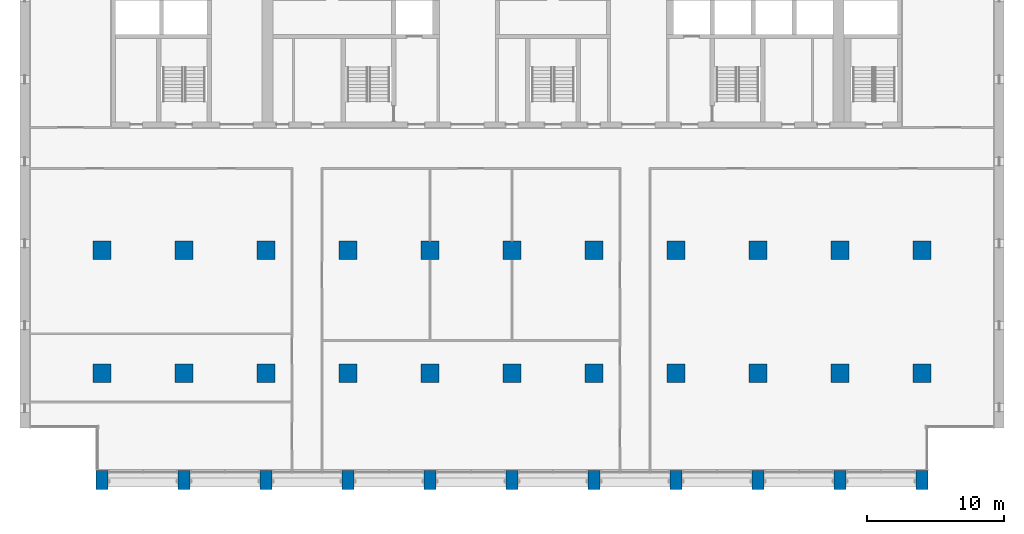
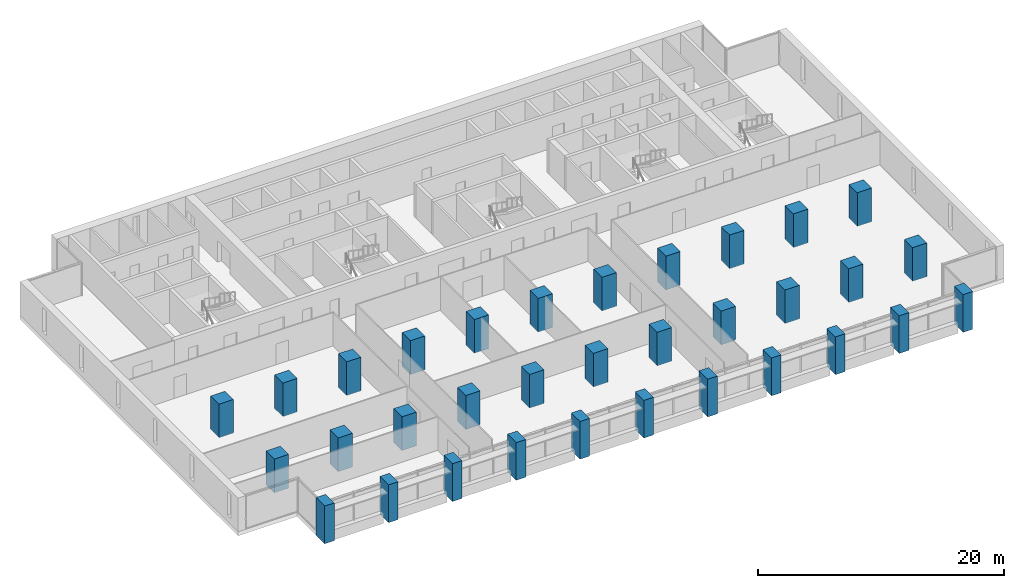
# One storey, part 1 of 15: 33 columns.
"""IFC4 building model written with IfcOpenShell, lengths in metres."""

from ifc_helpers import new_model, si_unit, direction, frame, origin, origin_2d, place, context, subcontext, project, spatial, rectangle, extrude, material, material_profile, profile_set, type_object, element, save


model = new_model("IFC4")

# Units and contexts
model_context = context("Model", 3, precision=1e-05, world=origin(), true_north=direction((0.0, 1.0)))
body_context = subcontext(model_context, "Body", "Model", "MODEL_VIEW")
ifc_project = project(units=[si_unit("LENGTHUNIT", "METRE"), si_unit("AREAUNIT", "SQUARE_METRE"), si_unit("VOLUMEUNIT", "CUBIC_METRE"), si_unit("PLANEANGLEUNIT", "RADIAN"), si_unit("MASSUNIT", "GRAM", prefix="KILO")], contexts=[model_context])

# Site, building, storey
site_placement = place(None, origin())
site = spatial("IfcSite", under=ifc_project, at=site_placement, CompositionType="ELEMENT")
building_placement = place(site_placement, origin())
building = spatial("IfcBuilding", under=site, at=building_placement, Name="Calvaro Tower", CompositionType="ELEMENT")
storey_placement = place(building_placement, frame((0.0, 0.0, 121.25)))
storey = spatial("IfcBuildingStorey", under=building, at=storey_placement, Name="L30", CompositionType="ELEMENT", Elevation=121.25)

# Columns
ifc_material_1 = material(Name="Concrete C60/75", Category="concrete")
ifc_material_profile_1 = material_profile(ifc_material_1, rectangle(XDim=1.35009765625, YDim=1.35009765625, at=origin_2d()), Name="RC 1350x1350")
ifc_profile_set_1 = profile_set([ifc_material_profile_1], Name="Concrete C60/75")
column_type_1 = type_object("IfcColumnType", Name="Column 1350x1350 C60/75", PredefinedType="COLUMN", material=ifc_profile_set_1)
for number, where, z_axis, x_axis, name in (
    (1, (6.0, 10.0, 0.0), (0.0, 0.0, 1.0), (1.0, 0.0, 0.0), "Column 2B"),
    (2, (6.0, 19.0, 0.0), (0.0, 0.0, 1.0), (1.0, 0.0, 0.0), "Column 2C"),
    (3, (12.0, 10.0, 0.0), (0.0, 0.0, 1.0), (1.0, 0.0, 0.0), "Column 3B"),
    (4, (12.0, 19.0, 0.0), (0.0, 0.0, 1.0), (1.0, 0.0, 0.0), "Column 3C"),
    (5, (18.0, 10.0, 0.0), (0.0, 0.0, 1.0), (1.0, 0.0, 0.0), "Column 4B"),
    (6, (18.0, 19.0, 0.0), (0.0, 0.0, 1.0), (1.0, 0.0, 0.0), "Column 4C"),
    (7, (24.0, 10.0, 0.0), (0.0, 0.0, 1.0), (1.0, 0.0, 0.0), "Column 5B"),
    (8, (24.0, 19.0, 0.0), (0.0, 0.0, 1.0), (1.0, 0.0, 0.0), "Column 5C"),
    (9, (30.0, 10.0, 0.0), (0.0, 0.0, 1.0), (1.0, 0.0, 0.0), "Column 6B"),
    (10, (30.0, 19.0, 0.0), (0.0, 0.0, 1.0), (1.0, 0.0, 0.0), "Column 6C"),
    (11, (36.0, 10.0, 0.0), (0.0, 0.0, 1.0), (1.0, 0.0, 0.0), "Column 7B"),
    (12, (36.0, 19.0, 0.0), (0.0, 0.0, 1.0), (1.0, 0.0, 0.0), "Column 7C"),
    (13, (42.0, 10.0, 0.0), (0.0, 0.0, 1.0), (1.0, 0.0, 0.0), "Column 8B"),
    (14, (42.0, 19.0, 0.0), (0.0, 0.0, 1.0), (1.0, 0.0, 0.0), "Column 8C"),
    (15, (48.0, 10.0, 0.0), (0.0, 0.0, 1.0), (1.0, 0.0, 0.0), "Column 9B"),
    (16, (48.0, 19.0, 0.0), (0.0, 0.0, 1.0), (1.0, 0.0, 0.0), "Column 9C"),
    (17, (54.0, 10.0, 0.0), (0.0, 0.0, 1.0), (1.0, 0.0, 0.0), "Column 10B"),
    (18, (54.0, 19.0, 0.0), (0.0, 0.0, 1.0), (1.0, 0.0, 0.0), "Column 10C"),
    (19, (60.0, 10.0, 0.0), (0.0, 0.0, 1.0), (1.0, 0.0, 0.0), "Column 11B"),
    (20, (60.0, 19.0, 0.0), (0.0, 0.0, 1.0), (1.0, 0.0, 0.0), "Column 11C"),
    (21, (66.0, 10.0, 0.0), (0.0, 0.0, 1.0), (1.0, 0.0, 0.0), "Column 12B"),
    (22, (66.0, 19.0, 0.0), (0.0, 0.0, 1.0), (1.0, 0.0, 0.0), "Column 12C"),
):
    element("IfcColumn", number, at=place(storey_placement, frame(where, z_axis=z_axis, x_axis=x_axis)), inside=storey, type_object=column_type_1, Name=name, PredefinedType="COLUMN", context=body_context, shape_type="SweptSolid", body=[
        extrude(rectangle(XDim=1.35009765625, YDim=1.35009765625, at=origin_2d()), origin(), (0.0, 0.0, 1.0), 3.35009765625),
    ])
ifc_material_2 = material(Name="Concrete C60/75", Category="concrete")
ifc_material_profile_2 = material_profile(ifc_material_2, rectangle(XDim=0.89990234375, YDim=1.39990234375, at=origin_2d()), Name="RC 900x1400")
ifc_profile_set_2 = profile_set([ifc_material_profile_2], Name="Concrete C60/75")
column_type_2 = type_object("IfcColumnType", Name="Pier 900x1400 C60/75", PredefinedType="COLUMN", material=ifc_profile_set_2)
for number, where, z_axis, x_axis, name in (
    (23, (6.0, 2.199951171875, -0.39990234375), (0.0, 0.0, 1.0), (1.0, 0.0, 0.0), "South pier 2"),
    (24, (12.0, 2.199951171875, -0.39990234375), (0.0, 0.0, 1.0), (1.0, 0.0, 0.0), "South pier 3"),
    (25, (18.0, 2.199951171875, -0.39990234375), (0.0, 0.0, 1.0), (1.0, 0.0, 0.0), "South pier 4"),
    (26, (24.0, 2.199951171875, -0.39990234375), (0.0, 0.0, 1.0), (1.0, 0.0, 0.0), "South pier 5"),
    (27, (30.0, 2.199951171875, -0.39990234375), (0.0, 0.0, 1.0), (1.0, 0.0, 0.0), "South pier 6"),
    (28, (36.0, 2.199951171875, -0.39990234375), (0.0, 0.0, 1.0), (1.0, 0.0, 0.0), "South pier 7"),
    (29, (42.0, 2.199951171875, -0.39990234375), (0.0, 0.0, 1.0), (1.0, 0.0, 0.0), "South pier 8"),
    (30, (48.0, 2.199951171875, -0.39990234375), (0.0, 0.0, 1.0), (1.0, 0.0, 0.0), "South pier 9"),
    (31, (54.0, 2.199951171875, -0.39990234375), (0.0, 0.0, 1.0), (1.0, 0.0, 0.0), "South pier 10"),
    (32, (60.0, 2.199951171875, -0.39990234375), (0.0, 0.0, 1.0), (1.0, 0.0, 0.0), "South pier 11"),
    (33, (66.0, 2.199951171875, -0.39990234375), (0.0, 0.0, 1.0), (1.0, 0.0, 0.0), "South pier 12"),
):
    element("IfcColumn", number, at=place(storey_placement, frame(where, z_axis=z_axis, x_axis=x_axis)), inside=storey, type_object=column_type_2, Name=name, PredefinedType="COLUMN", context=body_context, shape_type="SweptSolid", body=[
        extrude(rectangle(XDim=0.89990234375, YDim=1.39990234375, at=origin_2d()), origin(), (0.0, 0.0, 1.0), 3.75),
    ])

save(model, "model.ifc")
